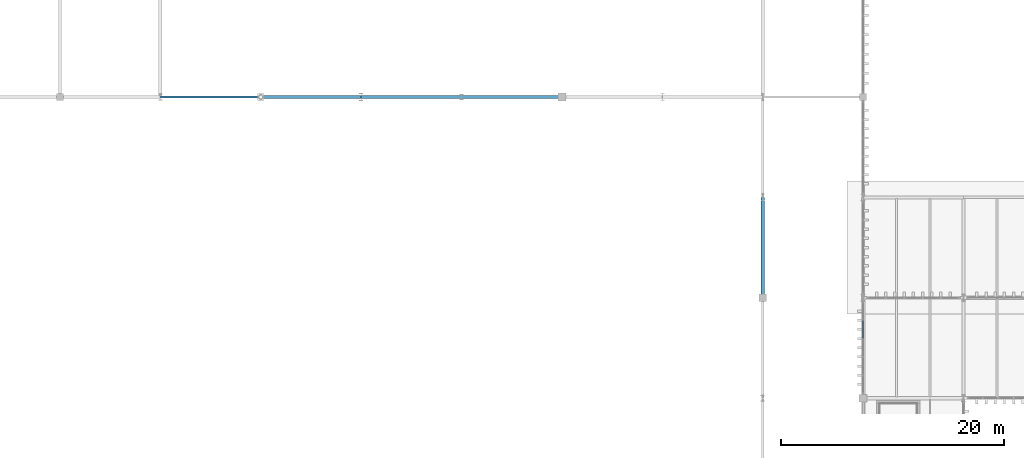
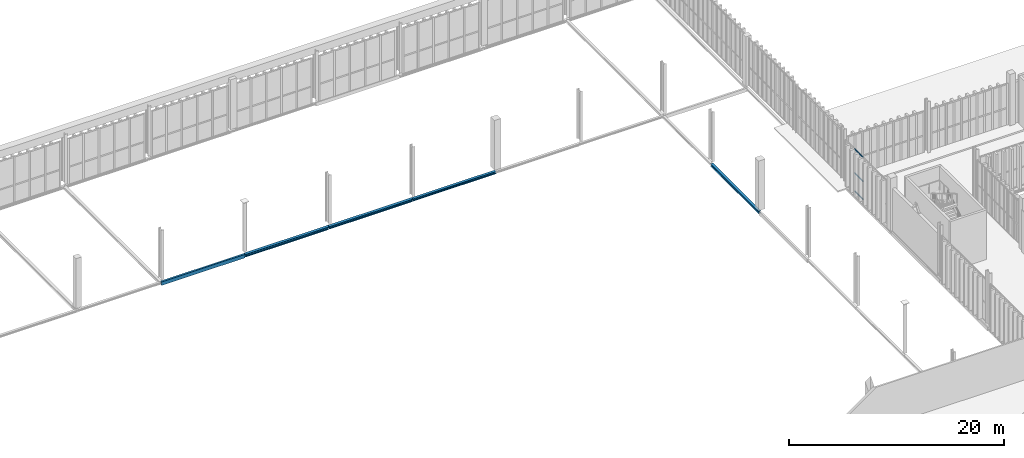
# One storey, part 104 of 237: 5 beams, 3 members, 1 element without a shape of its own.
"""IFC4 building model written with IfcOpenShell, lengths in metres."""

from ifc_helpers import new_model, si_unit, direction, frame, origin, origin_2d, place, context, subcontext, project, spatial, hollow_rectangle, i_section, extrude, material, layer, layer_set, material_profile, profile_set, type_object, element, aggregate, save


model = new_model("IFC4")

# Units and contexts
model_context = context("Model", 3, precision=1e-05, world=origin(), true_north=direction((0.0, 1.0)))
body_context = subcontext(model_context, "Body", "Model", "MODEL_VIEW")
ifc_project = project(units=[si_unit("LENGTHUNIT", "METRE"), si_unit("AREAUNIT", "SQUARE_METRE"), si_unit("VOLUMEUNIT", "CUBIC_METRE"), si_unit("PLANEANGLEUNIT", "RADIAN"), si_unit("MASSUNIT", "GRAM", prefix="KILO")], contexts=[model_context])

# Site, building, storey
site_placement = place(None, origin())
site = spatial("IfcSite", under=ifc_project, at=site_placement, CompositionType="ELEMENT")
building_placement = place(site_placement, origin())
building = spatial("IfcBuilding", under=site, at=building_placement, Name="Barlavento Convention Centre", CompositionType="ELEMENT")
storey_placement = place(building_placement, frame((0.0, 0.0, 12.0)))
storey = spatial("IfcBuildingStorey", under=building, at=storey_placement, Name="L02", CompositionType="ELEMENT", Elevation=12.0)

# Curtain wall, members
ifc_material_1 = material(Name="Powder-coated aluminium and Low-E glass", Category="aluminium")
ifc_layer = layer(ifc_material_1, 0.195068359375)
ifc_layer_set = layer_set([ifc_layer], Name="ARC-CW-BALL-L02")
curtain_wall_type = type_object("IfcCurtainWallType", Name="ARC-CW-BALL-L02", PredefinedType="NOTDEFINED", material=ifc_layer_set)
curtain_wall_placement = place(storey_placement, origin())
curtain_wall = element("IfcCurtainWall", 1, at=curtain_wall_placement, inside=storey, type_object=curtain_wall_type, Name="L02 unitised curtain wall CW07", PredefinedType="NOTDEFINED")
ifc_material_2 = material(Name="Powder-coated aluminium", Category="aluminium")
ifc_material_profile_1 = material_profile(ifc_material_2, hollow_rectangle(XDim=0.06005859375, YDim=0.139892578125, WallThickness=0.00390625, at=origin_2d()), Name="AL-TRAN 60x140x4")
ifc_profile_set_1 = profile_set([ifc_material_profile_1], Name="Powder-coated aluminium")
member_type = type_object("IfcMemberType", Name="ARC-CWT-60X140", PredefinedType="USERDEFINED", material=ifc_profile_set_1)
member_1_placement = place(storey_placement, frame((126.0, 95.3701171875, 0.030029296875), z_axis=(0.0, 1.0, 0.0), x_axis=(-1.0, 0.0, 0.0)))
member_1 = element("IfcMember", 2, at=member_1_placement, type_object=member_type, Name="CW07 transom 4.1", ObjectType="TRANSOM", PredefinedType="USERDEFINED", context=body_context, shape_type="SweptSolid", body=[
    extrude(hollow_rectangle(XDim=0.06005859375, YDim=0.139892578125, WallThickness=0.00390625, at=origin_2d()), origin(), (0.0, 0.0, 1.0), 1.579833984375),
])
member_2_placement = place(storey_placement, frame((126.0, 95.3701171875, 2.10009765625), z_axis=(0.0, 1.0, 0.0), x_axis=(-1.0, 0.0, 0.0)))
member_2 = element("IfcMember", 3, at=member_2_placement, type_object=member_type, Name="CW07 transom 4.2", ObjectType="TRANSOM", PredefinedType="USERDEFINED", context=body_context, shape_type="SweptSolid", body=[
    extrude(hollow_rectangle(XDim=0.06005859375, YDim=0.139892578125, WallThickness=0.00390625, at=origin_2d()), origin(), (0.0, 0.0, 1.0), 1.579833984375),
])
member_3_placement = place(storey_placement, frame((126.0, 95.3701171875, 4.820068359375), z_axis=(0.0, 1.0, 0.0), x_axis=(-1.0, 0.0, 0.0)))
member_3 = element("IfcMember", 4, at=member_3_placement, type_object=member_type, Name="CW07 transom 4.3", ObjectType="TRANSOM", PredefinedType="USERDEFINED", context=body_context, shape_type="SweptSolid", body=[
    extrude(hollow_rectangle(XDim=0.06005859375, YDim=0.139892578125, WallThickness=0.00390625, at=origin_2d()), origin(), (0.0, 0.0, 1.0), 1.579833984375),
])
aggregate(curtain_wall, [member_1, member_2, member_3])

# Beams
ifc_material_3 = material(Name="Steel S355", Category="steel")
ifc_material_profile_2 = material_profile(ifc_material_3, i_section(OverallWidth=0.280029296875, OverallDepth=0.27001953125, WebThickness=0.008056640625, FlangeThickness=0.012939453125, FilletRadius=0.02392578125, at=origin_2d()), Name="HEA 280")
ifc_profile_set_2 = profile_set([ifc_material_profile_2], Name="Steel S355")
beam_type_1 = type_object("IfcBeamType", Name="STR-BM-SPN-HEA280", PredefinedType="SPANDREL", material=ifc_profile_set_2)
for number, where, z_axis, x_axis, name in (
    (5, (90.02001953125, 117.0, -0.4951171875), (1.0, 0.0, 0.0), (0.0, 1.0, 0.0), "L02 primary girder SP03"),
    (6, (117.0, 99.02001953125, -0.4951171875), (0.0, 1.0, 0.0), (-1.0, 0.0, 0.0), "L02 grid girder SP03"),
):
    element("IfcBeam", number, at=place(storey_placement, frame(where, z_axis=z_axis, x_axis=x_axis)), inside=storey, type_object=beam_type_1, Name=name, PredefinedType="SPANDREL", context=body_context, shape_type="SweptSolid", body=[
        extrude(i_section(OverallWidth=0.280029296875, OverallDepth=0.27001953125, WebThickness=0.008056640625, FlangeThickness=0.012939453125, FilletRadius=0.02392578125, at=origin_2d()), origin(), (0.0, 0.0, 1.0), 8.9599609375),
    ])
ifc_material_profile_3 = material_profile(ifc_material_3, i_section(OverallWidth=0.300048828125, OverallDepth=0.2900390625, WebThickness=0.008544921875, FlangeThickness=0.013916015625, FilletRadius=0.027099609375, at=origin_2d()), Name="HEA 300")
ifc_profile_set_3 = profile_set([ifc_material_profile_3], Name="Steel S355")
beam_type_2 = type_object("IfcBeamType", Name="STR-BM-SPN-HEA300", PredefinedType="SPANDREL", material=ifc_profile_set_3)
beam_1_placement = place(storey_placement, frame((81.02001953125, 117.0, -0.5048828125), z_axis=(1.0, 0.0, 0.0), x_axis=(0.0, 1.0, 0.0)))
element("IfcBeam", 7, at=beam_1_placement, inside=storey, type_object=beam_type_2, Name="L02 primary girder SP02", PredefinedType="SPANDREL", context=body_context, shape_type="SweptSolid", body=[
    extrude(i_section(OverallWidth=0.300048828125, OverallDepth=0.2900390625, WebThickness=0.008544921875, FlangeThickness=0.013916015625, FilletRadius=0.027099609375, at=origin_2d()), origin(), (0.0, 0.0, 1.0), 8.9599609375),
])
ifc_material_profile_4 = material_profile(ifc_material_3, i_section(OverallWidth=0.300048828125, OverallDepth=0.31005859375, WebThickness=0.009033203125, FlangeThickness=0.015380859375, FilletRadius=0.027099609375, at=origin_2d()), Name="HEA 320")
ifc_profile_set_4 = profile_set([ifc_material_profile_4], Name="Steel S355")
beam_type_3 = type_object("IfcBeamType", Name="STR-BM-SPN-HEA320", PredefinedType="SPANDREL", material=ifc_profile_set_4)
beam_2_placement = place(storey_placement, frame((72.02001953125, 117.0, -0.514892578125), z_axis=(1.0, 0.0, 0.0), x_axis=(0.0, 1.0, 0.0)))
element("IfcBeam", 8, at=beam_2_placement, inside=storey, type_object=beam_type_3, Name="L02 primary girder SP01", PredefinedType="SPANDREL", context=body_context, shape_type="SweptSolid", body=[
    extrude(i_section(OverallWidth=0.300048828125, OverallDepth=0.31005859375, WebThickness=0.009033203125, FlangeThickness=0.015380859375, FilletRadius=0.027099609375, at=origin_2d()), origin(), (0.0, 0.0, 1.0), 8.9599609375),
])
ifc_material_profile_5 = material_profile(ifc_material_3, hollow_rectangle(XDim=0.199951171875, YDim=0.39990234375, WallThickness=0.01611328125, at=origin_2d()), Name="RHS 400x200x16.0")
ifc_profile_set_5 = profile_set([ifc_material_profile_5], Name="Steel S355")
beam_type_4 = type_object("IfcBeamType", Name="STR-BM-SPN-RHS400", PredefinedType="SPANDREL", material=ifc_profile_set_5)
beam_3_placement = place(storey_placement, frame((63.02001953125, 117.0, -0.56005859375), z_axis=(1.0, 0.0, 0.0), x_axis=(0.0, 1.0, 0.0)))
element("IfcBeam", 9, at=beam_3_placement, inside=storey, type_object=beam_type_4, Name="L02 primary girder SP06", PredefinedType="SPANDREL", context=body_context, shape_type="SweptSolid", body=[
    extrude(hollow_rectangle(XDim=0.199951171875, YDim=0.39990234375, WallThickness=0.01611328125, at=origin_2d()), origin(), (0.0, 0.0, 1.0), 8.9599609375),
])

save(model, "model.ifc")
